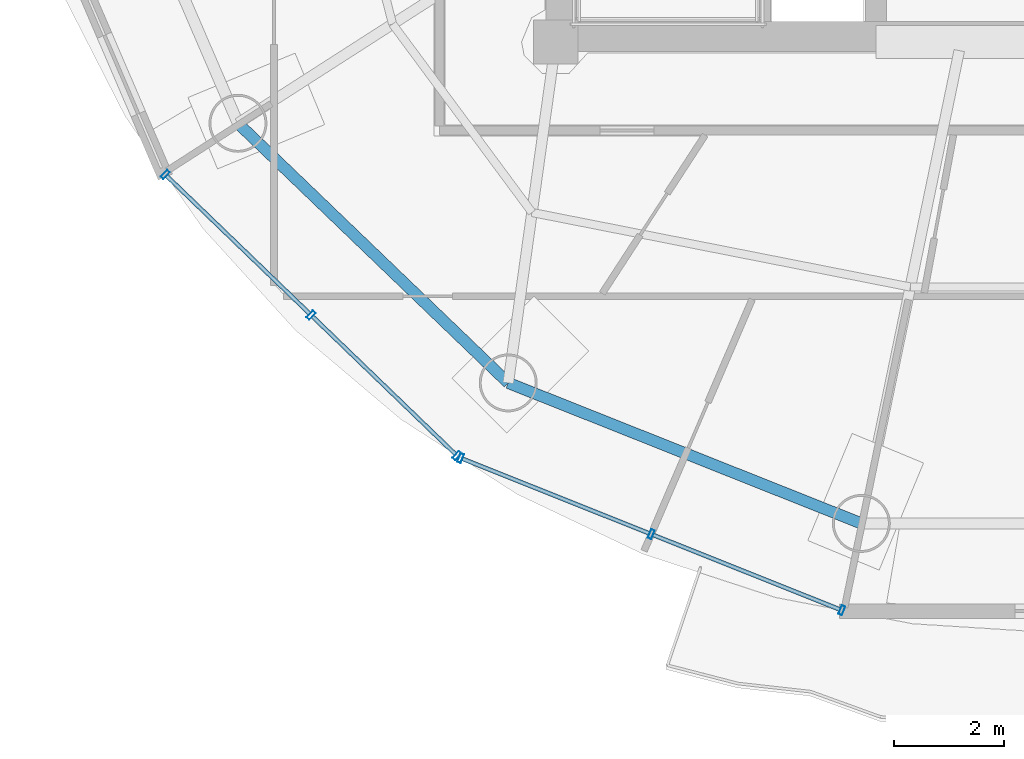
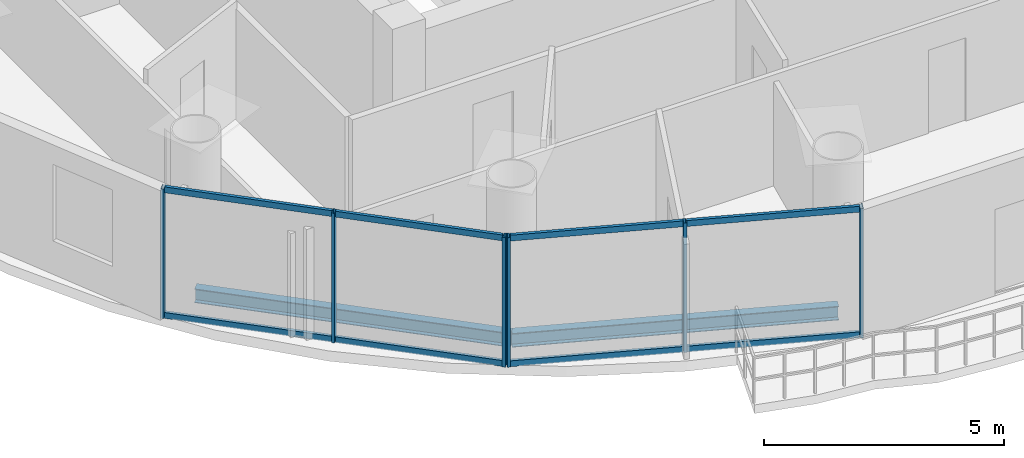
# One storey, part 2 of 23: 14 members, 2 beams, 2 elements without a shape of their own.
"""IFC4 building model written with IfcOpenShell, lengths in metres."""

import ifcopenshell
import ifcopenshell.guid

model = None  # the IFC model being written
_history = None  # IfcOwnerHistory: only IFC2X3 demands one
_inside = {}  # id of a spatial element -> (the spatial element, [elements in it])
_under = {}  # id of a project, library or spatial element -> (it, [spatial elements below it])
_declared = {}  # id of a project -> (the project, [libraries it declares])
_typed = {}  # id of a type object -> (the type object, [elements of that type])
_made_of = {}  # id of a material, layer set ... -> (it, [elements and type objects made of it])


def new_model(schema):
    """Start an empty IFC model of exactly this schema.

    Asked for "IFC4X3", IfcOpenShell would pick the latest addendum, in which some entities
    have other attributes; the version numbers below select the first issue.
    IFC2X3 requires an IfcOwnerHistory on every rooted entity: one is made here for all.
    """
    global model, _history
    if schema == "IFC4X3":
        model = ifcopenshell.file(schema_version=(4, 3, 0, 0))
    else:
        model = ifcopenshell.file(schema=schema)
    _inside.clear()
    _under.clear()
    _declared.clear()
    _typed.clear()
    _made_of.clear()
    _history = None
    if model.schema == "IFC2X3":
        org = make("IfcOrganization", Name="unknown")
        user = make(
            "IfcPersonAndOrganization",
            ThePerson=make("IfcPerson", FamilyName="unknown"),
            TheOrganization=org,
        )
        app = make(
            "IfcApplication",
            ApplicationDeveloper=org,
            Version="unknown",
            ApplicationFullName="unknown",
            ApplicationIdentifier="unknown",
        )
        _history = make(
            "IfcOwnerHistory",
            OwningUser=user,
            OwningApplication=app,
            ChangeAction="ADDED",
            CreationDate=0,
        )
    return model


def make(cls, **values):
    """One entity of the class cls with the attributes given. An attribute that is None is left unset."""
    return model.create_entity(
        cls, **{name: value for name, value in values.items() if value is not None}
    )


def rooted(cls, **values):
    """An entity with a GlobalId (a new one), such as an element, a storey or a relation."""
    return make(cls, GlobalId=ifcopenshell.guid.new(), OwnerHistory=_history, **values)


def si_unit(unit_type, name, prefix=None):
    """IfcSIUnit, for example si_unit("LENGTHUNIT", "METRE", prefix="MILLI")."""
    return make("IfcSIUnit", UnitType=unit_type, Prefix=prefix, Name=name)


def assignment(units):
    """IfcUnitAssignment: the units of a project."""
    return None if units is None else make("IfcUnitAssignment", Units=units)


def point(xyz):
    """IfcCartesianPoint."""
    return None if xyz is None else make("IfcCartesianPoint", Coordinates=xyz)


def direction(xyz):
    """IfcDirection."""
    return None if xyz is None else make("IfcDirection", DirectionRatios=xyz)


def frame(location, z_axis=None, x_axis=None):
    """IfcAxis2Placement3D, a coordinate frame: its origin and axes. An axis left out is left unset."""
    return make(
        "IfcAxis2Placement3D",
        Location=point(location),
        Axis=direction(z_axis),
        RefDirection=direction(x_axis),
    )


def frame_2d(location, x_axis=None):
    """IfcAxis2Placement2D, a coordinate frame in the plane: its origin and x axis."""
    return make(
        "IfcAxis2Placement2D", Location=point(location), RefDirection=direction(x_axis)
    )


def origin():
    """The frame at (0, 0, 0) with its axes left unset."""
    return frame((0.0, 0.0, 0.0))


def origin_2d():
    """The frame at (0, 0) in the plane with its x axis left unset."""
    return frame_2d((0.0, 0.0))


def place(relative_to, where):
    """IfcLocalPlacement: puts the frame where relative to a parent placement (None: the world)."""
    return make(
        "IfcLocalPlacement", PlacementRelTo=relative_to, RelativePlacement=where
    )


def context(
    kind, dimensions, precision=None, world=None, true_north=None, identifier=None
):
    """IfcGeometricRepresentationContext, for example the 3D "Model" context."""
    return make(
        "IfcGeometricRepresentationContext",
        ContextIdentifier=identifier,
        ContextType=kind,
        CoordinateSpaceDimension=dimensions,
        Precision=precision,
        WorldCoordinateSystem=world,
        TrueNorth=true_north,
    )


def subcontext(parent, identifier, kind, view, scale=None):
    """IfcGeometricRepresentationSubContext, for example "Body" below "Model"."""
    return make(
        "IfcGeometricRepresentationSubContext",
        ContextIdentifier=identifier,
        ContextType=kind,
        ParentContext=parent,
        TargetScale=scale,
        TargetView=view,
    )


def project(units=None, contexts=None):
    """IfcProject with its units and contexts."""
    return rooted(
        "IfcProject",
        Name="project",
        RepresentationContexts=contexts,
        UnitsInContext=assignment(units),
    )


def spatial(cls, under=None, at=None, **own):
    """A site, building, storey or space (cls), placed at a placement, below another one or the project."""
    s = rooted(cls, ObjectPlacement=at, **own)
    if under is not None:
        _under.setdefault(under.id(), (under, []))[1].append(s)
    return s


def profile(cls, at=None, kind="AREA", **sizes):
    """A parametric profile (cls). Its sizes go by their IFC names, for example OverallWidth=200.0."""
    return make(cls, ProfileType=kind, Position=at, **sizes)


def hollow_rectangle(**sizes):
    """IfcRectangleHollowProfileDef."""
    return profile("IfcRectangleHollowProfileDef", **sizes)


def i_section(**sizes):
    """IfcIShapeProfileDef."""
    return profile("IfcIShapeProfileDef", **sizes)


def extrude(swept, where, along, depth):
    """IfcExtrudedAreaSolid: the profile swept, set in the frame where, extruded along a direction by depth."""
    return make(
        "IfcExtrudedAreaSolid",
        SweptArea=swept,
        Position=where,
        ExtrudedDirection=direction(along),
        Depth=depth,
    )


def shape(context_of_items, identifier, shape_type, items):
    """IfcShapeRepresentation: the items that make up one representation, for example the "Body"."""
    return make(
        "IfcShapeRepresentation",
        ContextOfItems=context_of_items,
        RepresentationIdentifier=identifier,
        RepresentationType=shape_type,
        Items=items,
    )


def source(mapping_origin, context_of_items, identifier, shape_type, items):
    """IfcRepresentationMap: a shape defined once, which mapped items show again and again."""
    return make(
        "IfcRepresentationMap",
        MappingOrigin=mapping_origin,
        MappedRepresentation=shape(context_of_items, identifier, shape_type, items),
    )


def transform(
    local_origin,
    x_axis=None,
    y_axis=None,
    z_axis=None,
    scale=None,
    scale2=None,
    scale3=None,
    uniform=True,
):
    """IfcCartesianTransformationOperator3D, or its non-uniform kind. x_axis, y_axis, z_axis: its Axis1, 2, 3."""
    if uniform:
        return make(
            "IfcCartesianTransformationOperator3D",
            Axis1=direction(x_axis),
            Axis2=direction(y_axis),
            LocalOrigin=point(local_origin),
            Scale=scale,
            Axis3=direction(z_axis),
        )
    return make(
        "IfcCartesianTransformationOperator3DnonUniform",
        Axis1=direction(x_axis),
        Axis2=direction(y_axis),
        LocalOrigin=point(local_origin),
        Scale=scale,
        Axis3=direction(z_axis),
        Scale2=scale2,
        Scale3=scale3,
    )


def mapped(mapping_source, mapping_target):
    """IfcMappedItem: shows the shape of a source again, moved by a transform."""
    return make(
        "IfcMappedItem", MappingSource=mapping_source, MappingTarget=mapping_target
    )


def material(Name=None, Category=None):
    """IfcMaterial."""
    return make("IfcMaterial", Name=Name, Category=Category)


def material_profile(
    of_material, cross_section, Name=None, Category=None, Priority=None
):
    """IfcMaterialProfile: a cross section and its material."""
    return make(
        "IfcMaterialProfile",
        Name=Name,
        Material=of_material,
        Profile=cross_section,
        Priority=Priority,
        Category=Category,
    )


def profile_set(profiles, Name=None, composite=None):
    """IfcMaterialProfileSet."""
    return make(
        "IfcMaterialProfileSet",
        Name=Name,
        MaterialProfiles=profiles,
        CompositeProfile=composite,
    )


def made_of(thing, what):
    """Note that an element or type object is made of a material, layer set ...; save() writes the relation."""
    if what is not None:
        _made_of.setdefault(what.id(), (what, []))[1].append(thing)
    return thing


def type_object(cls, material=None, **own):
    """A type object (cls), such as IfcWallType, which elements share."""
    return made_of(rooted(cls, **own), material)


def element(
    cls,
    number,
    at=None,
    inside=None,
    cuts=None,
    type_object=None,
    material=None,
    context=None,
    identifier="Body",
    shape_type=None,
    held_by="IfcProductDefinitionShape",
    body=None,
    shapes=None,
    **own,
):
    """One element of the class cls, such as IfcWall. Its Tag is "e" and its number.

    at: its placement. inside: the storey or other place that contains it. cuts: it is an
    opening in that element (IfcRelVoidsElement). A single representation is given by context,
    identifier, shape_type and body (its items); several are given by shapes. held_by: the class
    of the entity that holds the representations. save() writes the other relations.
    """
    e = rooted(cls, Tag="e%d" % number, ObjectPlacement=at, **own)
    if body is not None:
        shapes = [shape(context, identifier, shape_type, body)]
    if shapes is not None:
        e.Representation = make(held_by, Representations=shapes)
    if inside is not None:
        _inside.setdefault(inside.id(), (inside, []))[1].append(e)
    if cuts is not None:
        rooted(
            "IfcRelVoidsElement", RelatingBuildingElement=cuts, RelatedOpeningElement=e
        )
    if type_object is not None:
        _typed.setdefault(type_object.id(), (type_object, []))[1].append(e)
    return made_of(e, material)


def aggregate(whole, parts):
    """IfcRelAggregates: a whole, such as a stair, and the parts it consists of."""
    return rooted("IfcRelAggregates", RelatingObject=whole, RelatedObjects=parts)


def save(model, path):
    """Write the relations noted so far, then the file.

    IfcRelAggregates (storeys below a building ...), IfcRelContainedInSpatialStructure (elements
    in a storey), IfcRelDefinesByType, IfcRelAssociatesMaterial and IfcRelDeclares: one each for
    every whole, place, type object, material and project.
    """
    for whole, parts in _under.values():
        aggregate(whole, parts)
    for where, things in _inside.values():
        rooted(
            "IfcRelContainedInSpatialStructure",
            RelatedElements=things,
            RelatingStructure=where,
        )
    for kind, things in _typed.values():
        rooted("IfcRelDefinesByType", RelatedObjects=things, RelatingType=kind)
    for what, things in _made_of.values():
        rooted("IfcRelAssociatesMaterial", RelatedObjects=things, RelatingMaterial=what)
    for by, libraries in _declared.values():
        rooted("IfcRelDeclares", RelatingContext=by, RelatedDefinitions=libraries)
    model.write(path)


model = new_model("IFC4")

# Units and contexts
model_context = context("Model", 3, precision=1e-05, world=origin(), true_north=direction((-0.2419218956, 0.970295726276)))
body_context = subcontext(model_context, "Body", "Model", "MODEL_VIEW")
ifc_project = project(units=[si_unit("LENGTHUNIT", "METRE"), si_unit("AREAUNIT", "SQUARE_METRE"), si_unit("VOLUMEUNIT", "CUBIC_METRE"), si_unit("PLANEANGLEUNIT", "RADIAN"), si_unit("MASSUNIT", "GRAM", prefix="KILO")], contexts=[model_context])

# Site, building, storey
site_placement = place(None, origin())
site = spatial("IfcSite", under=ifc_project, at=site_placement, CompositionType="ELEMENT")
building_placement = place(site_placement, origin())
building = spatial("IfcBuilding", under=site, at=building_placement, Name="Cobrevalo Terracotta Tower", CompositionType="ELEMENT")
storey_placement = place(building_placement, frame((0.0, 0.0, 296.949951171875)))
storey = spatial("IfcBuildingStorey", under=building, at=storey_placement, Name="L78", CompositionType="ELEMENT", Elevation=296.949951171875)

# Beams
ifc_material_1 = material(Name="Steel S355", Category="steel")
ifc_material_profile_1 = material_profile(ifc_material_1, i_section(OverallWidth=0.205078125, OverallDepth=0.35400390625, WebThickness=0.009521484375, FlangeThickness=0.016845703125, at=origin_2d()), Name="W 360x79")
ifc_profile_set_1 = profile_set([ifc_material_profile_1], Name="Steel S355")
beam_type = type_object("IfcBeamType", Name="Structural Spandrel W 360x79 (Steel S355)", PredefinedType="SPANDREL", material=ifc_profile_set_1)
beam_1_placement = place(storey_placement, frame((23.241455078125, 17.32763671875, -0.43701171875), z_axis=(0.721183246144, -0.692744343522, 0.0), x_axis=(0.692744343522, 0.721183246144, 0.0)))
element("IfcBeam", 1, at=beam_1_placement, inside=storey, type_object=beam_type, Name="L78 perimeter ring spandrel 10", PredefinedType="SPANDREL", context=body_context, shape_type="SweptSolid", body=[
    extrude(i_section(OverallWidth=0.205078125, OverallDepth=0.35400390625, WebThickness=0.009521484375, FlangeThickness=0.016845703125, at=origin_2d()), origin(), (0.0, 0.0, 1.0), 6.79052734375),
])
beam_2_placement = place(storey_placement, frame((28.138671875, 12.62353515625, -0.43701171875), z_axis=(0.929149986048, -0.369702993533, 0.0), x_axis=(0.369702993533, 0.929149986048, 0.0)))
element("IfcBeam", 2, at=beam_2_placement, inside=storey, type_object=beam_type, Name="L78 perimeter ring spandrel 11", PredefinedType="SPANDREL", context=body_context, shape_type="SweptSolid", body=[
    extrude(i_section(OverallWidth=0.205078125, OverallDepth=0.35400390625, WebThickness=0.009521484375, FlangeThickness=0.016845703125, at=origin_2d()), origin(), (0.0, 0.0, 1.0), 6.88623046875),
])

# Curtain wall, members
ifc_material_2 = material(Name="Anodized aluminium", Category="aluminium")
curtain_wall_type = type_object("IfcCurtainWallType", Name="Upper-tower triple-glazed penthouse curtain wall CW-U3", PredefinedType="NOTDEFINED", material=ifc_material_2)
curtain_wall_1_placement = place(storey_placement, origin())
curtain_wall_1 = element("IfcCurtainWall", 3, at=curtain_wall_1_placement, inside=storey, type_object=curtain_wall_type, Name="L78 curtain wall CW-L78-S10", PredefinedType="NOTDEFINED")
ifc_material_profile_2 = material_profile(ifc_material_2, hollow_rectangle(XDim=0.074951171875, YDim=0.14990234375, WallThickness=0.00439453125, at=origin_2d()), Name="CWT 75x150")
ifc_profile_set_2 = profile_set([ifc_material_profile_2], Name="Anodized aluminium")
member_type_1 = type_object("IfcMemberType", Name="Tower unitised aluminium transom 75x150", PredefinedType="USERDEFINED", material=ifc_profile_set_2)
shared_shape_1 = source(origin(), body_context, "Body", "SweptSolid", [
    extrude(hollow_rectangle(XDim=0.074951171875, YDim=0.14990234375, WallThickness=0.00439453125, at=origin_2d()), origin(), (0.0, 0.0, 1.0), 3.59130859375),
])
member_1_placement = place(storey_placement, frame((21.9521484375, 16.3720703125, 0.050048828125), z_axis=(0.719971660756, -0.694003463758, 0.0), x_axis=(0.694003463758, 0.719971660756, 0.0)))
member_1 = element("IfcMember", 4, at=member_1_placement, type_object=member_type_1, Name="CW-L78-S10 transom B01-T1", ObjectType="TRANSOM", PredefinedType="USERDEFINED", context=body_context, shape_type="MappedRepresentation", body=[
    mapped(shared_shape_1, transform((0.0, 0.0, 0.0), scale=1.0)),
])
member_2_placement = place(storey_placement, frame((21.9521484375, 16.3720703125, 3.25), z_axis=(0.719971660756, -0.694003463758, 0.0), x_axis=(0.694003463758, 0.719971660756, 0.0)))
member_2 = element("IfcMember", 5, at=member_2_placement, type_object=member_type_1, Name="CW-L78-S10 transom B01-T2", ObjectType="TRANSOM", PredefinedType="USERDEFINED", context=body_context, shape_type="MappedRepresentation", body=[
    mapped(shared_shape_1, transform((0.0, 0.0, 0.0), scale=1.0)),
])
member_3_placement = place(storey_placement, frame((24.59521484375, 13.82421875, 0.050048828125), z_axis=(0.720005628362, -0.693968223427, 0.0), x_axis=(0.693968223427, 0.720005628362, 0.0)))
member_3 = element("IfcMember", 6, at=member_3_placement, type_object=member_type_1, Name="CW-L78-S10 transom B02-T1", ObjectType="TRANSOM", PredefinedType="USERDEFINED", context=body_context, shape_type="MappedRepresentation", body=[
    mapped(shared_shape_1, transform((0.0, 0.0, 0.0), scale=1.0)),
])
member_4_placement = place(storey_placement, frame((24.59521484375, 13.82421875, 3.25), z_axis=(0.720005628362, -0.693968223427, 0.0), x_axis=(0.693968223427, 0.720005628362, 0.0)))
member_4 = element("IfcMember", 7, at=member_4_placement, type_object=member_type_1, Name="CW-L78-S10 transom B02-T2", ObjectType="TRANSOM", PredefinedType="USERDEFINED", context=body_context, shape_type="MappedRepresentation", body=[
    mapped(shared_shape_1, transform((0.0, 0.0, 0.0), scale=1.0)),
])

curtain_wall_2_placement = place(storey_placement, origin())
curtain_wall_2 = element("IfcCurtainWall", 8, at=curtain_wall_2_placement, inside=storey, type_object=curtain_wall_type, Name="L78 curtain wall CW-L78-S11", PredefinedType="NOTDEFINED")
shared_shape_2 = source(origin(), body_context, "Body", "SweptSolid", [
    extrude(hollow_rectangle(XDim=0.074951171875, YDim=0.14990234375, WallThickness=0.00439453125, at=origin_2d()), origin(), (0.0, 0.0, 1.0), 3.63916015625),
])
member_5_placement = place(storey_placement, frame((27.31298828125, 11.246826171875, 0.050048828125), z_axis=(0.928712471544, -0.370800681227, 0.0), x_axis=(0.370800681227, 0.928712471544, 0.0)))
member_5 = element("IfcMember", 9, at=member_5_placement, type_object=member_type_1, Name="CW-L78-S11 transom B01-T1", ObjectType="TRANSOM", PredefinedType="USERDEFINED", context=body_context, shape_type="MappedRepresentation", body=[
    mapped(shared_shape_2, transform((0.0, 0.0, 0.0), scale=1.0)),
])
member_6_placement = place(storey_placement, frame((27.31298828125, 11.246826171875, 3.25), z_axis=(0.928712471544, -0.370800681227, 0.0), x_axis=(0.370800681227, 0.928712471544, 0.0)))
member_6 = element("IfcMember", 10, at=member_6_placement, type_object=member_type_1, Name="CW-L78-S11 transom B01-T2", ObjectType="TRANSOM", PredefinedType="USERDEFINED", context=body_context, shape_type="MappedRepresentation", body=[
    mapped(shared_shape_2, transform((0.0, 0.0, 0.0), scale=1.0)),
])
member_7_placement = place(storey_placement, frame((30.76708984375, 9.86767578125, 0.050048828125), z_axis=(0.928712471544, -0.370800681227, 0.0), x_axis=(0.370800681227, 0.928712471544, 0.0)))
member_7 = element("IfcMember", 11, at=member_7_placement, type_object=member_type_1, Name="CW-L78-S11 transom B02-T1", ObjectType="TRANSOM", PredefinedType="USERDEFINED", context=body_context, shape_type="MappedRepresentation", body=[
    mapped(shared_shape_2, transform((0.0, 0.0, 0.0), scale=1.0)),
])
member_8_placement = place(storey_placement, frame((30.76708984375, 9.86767578125, 3.25), z_axis=(0.928712471544, -0.370800681227, 0.0), x_axis=(0.370800681227, 0.928712471544, 0.0)))
member_8 = element("IfcMember", 12, at=member_8_placement, type_object=member_type_1, Name="CW-L78-S11 transom B02-T2", ObjectType="TRANSOM", PredefinedType="USERDEFINED", context=body_context, shape_type="MappedRepresentation", body=[
    mapped(shared_shape_2, transform((0.0, 0.0, 0.0), scale=1.0)),
])

# Member
ifc_material_profile_3 = material_profile(ifc_material_2, hollow_rectangle(XDim=0.070068359375, YDim=0.169921875, WallThickness=0.00439453125, at=origin_2d()), Name="CWM 70x170")
ifc_profile_set_3 = profile_set([ifc_material_profile_3], Name="Anodized aluminium")
member_type_2 = type_object("IfcMemberType", Name="Upper tower unitised mullion 70x170", PredefinedType="MULLION", material=ifc_profile_set_3)
shared_shape_3 = source(origin(), body_context, "Body", "SweptSolid", [
    extrude(hollow_rectangle(XDim=0.070068359375, YDim=0.169921875, WallThickness=0.00439453125, at=origin_2d()), origin(), (0.0, 0.0, 1.0), 3.300048828125),
])
member_9_placement = place(storey_placement, frame((21.92333984375, 16.399658203125, 0.0), z_axis=(0.0, 0.0, 1.0), x_axis=(0.71999418085, -0.69398010025, 0.0)))
member_9 = element("IfcMember", 13, at=member_9_placement, type_object=member_type_2, Name="CW-L78-S10 vertical mullion 01", PredefinedType="MULLION", context=body_context, shape_type="MappedRepresentation", body=[
    mapped(shared_shape_3, transform((0.0, 0.0, 0.0), scale=1.0)),
])

member_10_placement = place(storey_placement, frame((24.56640625, 13.85205078125, 0.0), z_axis=(0.0, 0.0, 1.0), x_axis=(0.71999418085, -0.69398010025, 0.0)))
member_10 = element("IfcMember", 14, at=member_10_placement, type_object=member_type_2, Name="CW-L78-S10 vertical mullion 02", PredefinedType="MULLION", context=body_context, shape_type="MappedRepresentation", body=[
    mapped(shared_shape_3, transform((0.0, 0.0, 0.0), scale=1.0)),
])

member_11_placement = place(storey_placement, frame((27.209716796875, 11.30419921875, 0.0), z_axis=(0.0, 0.0, 1.0), x_axis=(0.71999418085, -0.69398010025, 0.0)))
member_11 = element("IfcMember", 15, at=member_11_placement, type_object=member_type_2, Name="CW-L78-S10 vertical mullion 03", PredefinedType="MULLION", context=body_context, shape_type="MappedRepresentation", body=[
    mapped(shared_shape_3, transform((0.0, 0.0, 0.0), scale=1.0)),
])

aggregate(curtain_wall_1, [member_9, member_10, member_11, member_1, member_2, member_3, member_4])

member_12_placement = place(storey_placement, frame((27.275634765625, 11.26171875, 0.0), z_axis=(0.0, 0.0, 1.0), x_axis=(0.928718980883, -0.370784377433, 0.0)))
member_12 = element("IfcMember", 16, at=member_12_placement, type_object=member_type_2, Name="CW-L78-S11 vertical mullion 01", PredefinedType="MULLION", context=body_context, shape_type="MappedRepresentation", body=[
    mapped(shared_shape_3, transform((0.0, 0.0, 0.0), scale=1.0)),
])

member_13_placement = place(storey_placement, frame((30.729736328125, 9.882568359375, 0.0), z_axis=(0.0, 0.0, 1.0), x_axis=(0.928718980883, -0.370784377433, 0.0)))
member_13 = element("IfcMember", 17, at=member_13_placement, type_object=member_type_2, Name="CW-L78-S11 vertical mullion 02", PredefinedType="MULLION", context=body_context, shape_type="MappedRepresentation", body=[
    mapped(shared_shape_3, transform((0.0, 0.0, 0.0), scale=1.0)),
])

member_14_placement = place(storey_placement, frame((34.183837890625, 8.503662109375, 0.0), z_axis=(0.0, 0.0, 1.0), x_axis=(0.928718980883, -0.370784377433, 0.0)))
member_14 = element("IfcMember", 18, at=member_14_placement, type_object=member_type_2, Name="CW-L78-S11 vertical mullion 03", PredefinedType="MULLION", context=body_context, shape_type="MappedRepresentation", body=[
    mapped(shared_shape_3, transform((0.0, 0.0, 0.0), scale=1.0)),
])

aggregate(curtain_wall_2, [member_12, member_13, member_14, member_5, member_6, member_7, member_8])

save(model, "model.ifc")
